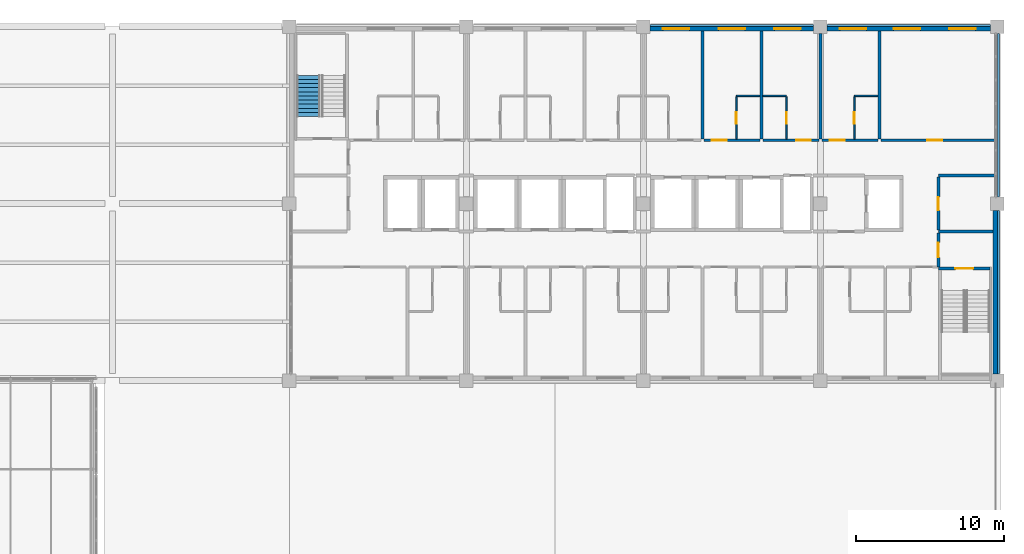
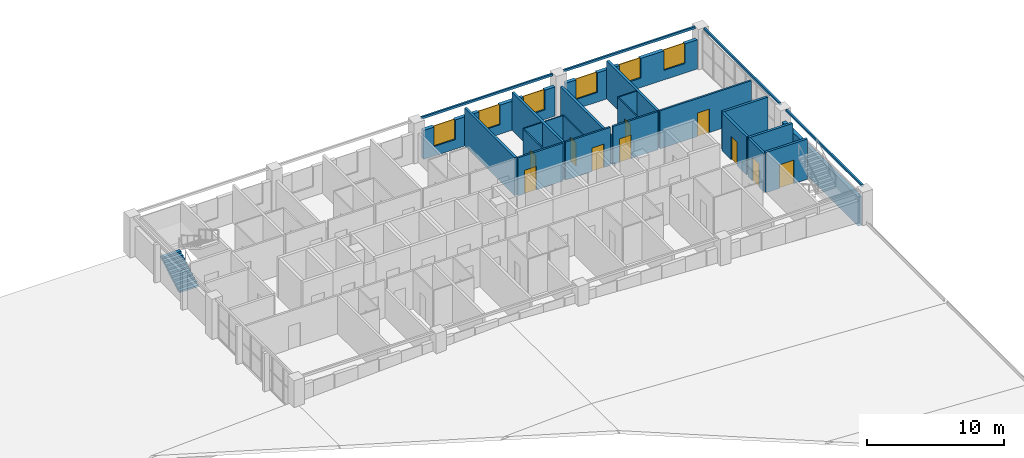
# One storey, part 91 of 94: 26 walls, 10 doors, 6 windows, 1 stair flight, 16 openings, 1 element without a shape of its own.
"""IFC4 building model written with IfcOpenShell, lengths in metres."""

from ifc_helpers import new_model, si_unit, direction, frame, frame_2d, origin, place, context, subcontext, project, spatial, polyline, rectangle, outline, extrude, material, layer, layer_set, type_object, element, fill, aggregate, save


model = new_model("IFC4")

# Units and contexts
model_context = context("Model", 3, precision=1e-05, world=origin(), true_north=direction((0.0, 1.0)))
body_context = subcontext(model_context, "Body", "Model", "MODEL_VIEW")
ifc_project = project(units=[si_unit("LENGTHUNIT", "METRE"), si_unit("AREAUNIT", "SQUARE_METRE"), si_unit("VOLUMEUNIT", "CUBIC_METRE"), si_unit("PLANEANGLEUNIT", "RADIAN"), si_unit("MASSUNIT", "GRAM", prefix="KILO")], contexts=[model_context])

# Site, building, storey
site_placement = place(None, origin())
site = spatial("IfcSite", under=ifc_project, at=site_placement, CompositionType="ELEMENT")
building_placement = place(site_placement, origin())
building = spatial("IfcBuilding", under=site, at=building_placement, Name="Lilac Gate Convention Centre", CompositionType="ELEMENT")
storey_placement = place(building_placement, frame((0.0, 0.0, 21.0)))
storey = spatial("IfcBuildingStorey", under=building, at=storey_placement, Name="L04", CompositionType="ELEMENT", Elevation=21.0)

# Wall, opening, door
ifc_material_1 = material(Name="Concrete C60", Category="concrete")
ifc_layer_1 = layer(ifc_material_1, 0.199951171875)
ifc_layer_set_1 = layer_set([ifc_layer_1], Name="Concrete C60")
wall_type_1 = type_object("IfcWallType", Name="Core wall 200 C60", PredefinedType="SHEAR", material=ifc_layer_set_1)
wall_1_placement = place(storey_placement, frame((89.5, 229.60009765625, 0.0), z_axis=(0.0, 0.0, 1.0), x_axis=(-1.0, 0.0, 0.0)))
wall_1 = element("IfcWall", 1, at=wall_1_placement, inside=storey, type_object=wall_type_1, Name="CRW2 core wall TS-E L04 1", PredefinedType="SHEAR", context=body_context, shape_type="SweptSolid", body=[
    extrude(rectangle(XDim=3.5, YDim=0.199951171875, at=frame_2d((1.75, 0.0))), origin(), (0.0, 0.0, 1.0), 3.60009765625),
])
opening_1_placement = place(wall_1_placement, frame((1.14990234375, 0.0, 0.0)))
opening_1 = element("IfcOpeningElement", 2, at=opening_1_placement, cuts=wall_1, Name="Opening T04-056", PredefinedType="OPENING", context=body_context, shape_type="SweptSolid", body=[
    extrude(rectangle(XDim=1.199951171875, YDim=2.10009765625, at=frame_2d((0.60009765625, 1.050048828125))), frame((0.0, 0.10986328125, 0.0), z_axis=(0.0, -1.0, 0.0), x_axis=(1.0, 0.0, 0.0)), (0.0, 0.0, 1.0), 0.219970703125),
])
ifc_material_2 = material(Name="Steel Q235B", Category="steel")
door_type_1 = type_object("IfcDoorType", Name="Stair door 1200", OperationType="SINGLE_SWING_LEFT", PredefinedType="DOOR", material=ifc_material_2)
door_1_placement = place(opening_1_placement, origin())
door_1 = element("IfcDoor", 3, at=door_1_placement, inside=storey, type_object=door_type_1, Name="Stair door SE L04", OperationType="SINGLE_SWING_RIGHT", OverallHeight=2.10009765625, OverallWidth=1.199951171875, PredefinedType="DOOR", context=body_context, shape_type="SweptSolid", body=[
    extrude(rectangle(XDim=1.199951171875, YDim=2.10009765625, at=frame_2d((0.60009765625, 1.050048828125))), frame((0.0, 0.02490234375, 0.0), z_axis=(0.0, -1.0, 0.0), x_axis=(1.0, 0.0, 0.0)), (0.0, 0.0, 1.0), 0.050048828125),
])
fill(opening_1, door_1)

ifc_material_3 = material(Name="Gypsum board on steel stud", Category="steel")
ifc_layer_2 = layer(ifc_material_3, 0.14990234375)
ifc_layer_set_2 = layer_set([ifc_layer_2], Name="Gypsum board on steel stud")
wall_type_2 = type_object("IfcWallType", Name="Corridor wall 150", PredefinedType="PARTITIONING", material=ifc_layer_set_2)
wall_2_placement = place(storey_placement, frame((70.10009765625, 238.300048828125, 0.0), z_axis=(0.0, 0.0, 1.0), x_axis=(1.0, 0.0, 0.0)))
wall_2 = element("IfcWall", 4, at=wall_2_placement, inside=storey, type_object=wall_type_2, Name="Corridor wall 150 front 0417", PredefinedType="PARTITIONING", context=body_context, shape_type="SweptSolid", body=[
    extrude(rectangle(XDim=3.7998046875, YDim=0.14990234375, at=frame_2d((1.89990234375, 0.0))), origin(), (0.0, 0.0, 1.0), 3.39990234375),
])
opening_2_placement = place(wall_2_placement, frame((0.550048828125, 0.0, 0.0)))
opening_2 = element("IfcOpeningElement", 5, at=opening_2_placement, cuts=wall_2, Name="Opening T04-039", PredefinedType="OPENING", context=body_context, shape_type="SweptSolid", body=[
    extrude(rectangle(XDim=1.0, YDim=2.10009765625, at=frame_2d((0.5, 1.050048828125))), frame((0.0, 0.0849609375, 0.0), z_axis=(0.0, -1.0, 0.0), x_axis=(1.0, 0.0, 0.0)), (0.0, 0.0, 1.0), 0.169921875),
])
ifc_material_4 = material(Name="Timber", Category="wood")
door_type_2 = type_object("IfcDoorType", Name="Guest room entrance door 1000", OperationType="SINGLE_SWING_LEFT", PredefinedType="DOOR", material=ifc_material_4)
door_2_placement = place(opening_2_placement, origin())
door_2 = element("IfcDoor", 6, at=door_2_placement, inside=storey, type_object=door_type_2, Name="Guest room door 0417", OperationType="SINGLE_SWING_LEFT", OverallHeight=2.10009765625, OverallWidth=1.0, PredefinedType="DOOR", context=body_context, shape_type="SweptSolid", body=[
    extrude(rectangle(XDim=1.0, YDim=2.10009765625, at=frame_2d((0.5, 1.050048828125))), frame((0.0, 0.02490234375, 0.0), z_axis=(0.0, -1.0, 0.0), x_axis=(1.0, 0.0, 0.0)), (0.0, 0.0, 1.0), 0.050048828125),
])
fill(opening_2, door_2)

wall_3_placement = place(storey_placement, frame((74.10009765625, 238.300048828125, 0.0), z_axis=(0.0, 0.0, 1.0), x_axis=(1.0, 0.0, 0.0)))
wall_3 = element("IfcWall", 7, at=wall_3_placement, inside=storey, type_object=wall_type_2, Name="Corridor wall 150 front 0418", PredefinedType="PARTITIONING", context=body_context, shape_type="SweptSolid", body=[
    extrude(rectangle(XDim=3.7998046875, YDim=0.14990234375, at=frame_2d((1.89990234375, 0.0))), origin(), (0.0, 0.0, 1.0), 3.39990234375),
])
opening_3_placement = place(wall_3_placement, frame((2.25, 0.0, 0.0)))
opening_3 = element("IfcOpeningElement", 8, at=opening_3_placement, cuts=wall_3, Name="Opening T04-041", PredefinedType="OPENING", context=body_context, shape_type="SweptSolid", body=[
    extrude(rectangle(XDim=1.0, YDim=2.10009765625, at=frame_2d((0.5, 1.050048828125))), frame((0.0, 0.0849609375, 0.0), z_axis=(0.0, -1.0, 0.0), x_axis=(1.0, 0.0, 0.0)), (0.0, 0.0, 1.0), 0.169921875),
])
door_3_placement = place(opening_3_placement, origin())
door_3 = element("IfcDoor", 9, at=door_3_placement, inside=storey, type_object=door_type_2, Name="Guest room door 0418", OperationType="SINGLE_SWING_LEFT", OverallHeight=2.10009765625, OverallWidth=1.0, PredefinedType="DOOR", context=body_context, shape_type="SweptSolid", body=[
    extrude(rectangle(XDim=1.0, YDim=2.10009765625, at=frame_2d((0.5, 1.050048828125))), frame((0.0, 0.02490234375, 0.0), z_axis=(0.0, -1.0, 0.0), x_axis=(1.0, 0.0, 0.0)), (0.0, 0.0, 1.0), 0.050048828125),
])
fill(opening_3, door_3)

wall_4_placement = place(storey_placement, frame((78.10009765625, 238.300048828125, 0.0), z_axis=(0.0, 0.0, 1.0), x_axis=(1.0, 0.0, 0.0)))
wall_4 = element("IfcWall", 10, at=wall_4_placement, inside=storey, type_object=wall_type_2, Name="Corridor wall 150 front 0419", PredefinedType="PARTITIONING", context=body_context, shape_type="SweptSolid", body=[
    extrude(rectangle(XDim=3.7998046875, YDim=0.14990234375, at=frame_2d((1.89990234375, 0.0))), origin(), (0.0, 0.0, 1.0), 3.39990234375),
])
opening_4_placement = place(wall_4_placement, frame((0.550048828125, 0.0, 0.0)))
opening_4 = element("IfcOpeningElement", 11, at=opening_4_placement, cuts=wall_4, Name="Opening T04-043", PredefinedType="OPENING", context=body_context, shape_type="SweptSolid", body=[
    extrude(rectangle(XDim=1.0, YDim=2.10009765625, at=frame_2d((0.5, 1.050048828125))), frame((0.0, 0.0849609375, 0.0), z_axis=(0.0, -1.0, 0.0), x_axis=(1.0, 0.0, 0.0)), (0.0, 0.0, 1.0), 0.169921875),
])
door_4_placement = place(opening_4_placement, origin())
door_4 = element("IfcDoor", 12, at=door_4_placement, inside=storey, type_object=door_type_2, Name="Guest room door 0419", OperationType="SINGLE_SWING_LEFT", OverallHeight=2.10009765625, OverallWidth=1.0, PredefinedType="DOOR", context=body_context, shape_type="SweptSolid", body=[
    extrude(rectangle(XDim=1.0, YDim=2.10009765625, at=frame_2d((0.5, 1.050048828125))), frame((0.0, 0.02490234375, 0.0), z_axis=(0.0, -1.0, 0.0), x_axis=(1.0, 0.0, 0.0)), (0.0, 0.0, 1.0), 0.050048828125),
])
fill(opening_4, door_4)

wall_5_placement = place(storey_placement, frame((82.10009765625, 238.300048828125, 0.0), z_axis=(0.0, 0.0, 1.0), x_axis=(1.0, 0.0, 0.0)))
wall_5 = element("IfcWall", 13, at=wall_5_placement, inside=storey, type_object=wall_type_2, Name="Corridor wall 150 front 0420", PredefinedType="PARTITIONING", context=body_context, shape_type="SweptSolid", body=[
    extrude(rectangle(XDim=7.69970703125, YDim=0.14990234375, at=frame_2d((3.849853515625, 0.0))), origin(), (0.0, 0.0, 1.0), 3.39990234375),
])
opening_5_placement = place(wall_5_placement, frame((3.14990234375, 0.0, 0.0)))
opening_5 = element("IfcOpeningElement", 14, at=opening_5_placement, cuts=wall_5, Name="Opening T04-045", PredefinedType="OPENING", context=body_context, shape_type="SweptSolid", body=[
    extrude(rectangle(XDim=1.0, YDim=2.10009765625, at=frame_2d((0.5, 1.050048828125))), frame((0.0, 0.0849609375, 0.0), z_axis=(0.0, -1.0, 0.0), x_axis=(1.0, 0.0, 0.0)), (0.0, 0.0, 1.0), 0.169921875),
])
door_type_3 = type_object("IfcDoorType", Name="Room door 1000", OperationType="SINGLE_SWING_LEFT", PredefinedType="DOOR", material=ifc_material_4)
door_5_placement = place(opening_5_placement, origin())
door_5 = element("IfcDoor", 15, at=door_5_placement, inside=storey, type_object=door_type_3, Name="Business Centre door", OperationType="SINGLE_SWING_LEFT", OverallHeight=2.10009765625, OverallWidth=1.0, PredefinedType="DOOR", context=body_context, shape_type="SweptSolid", body=[
    extrude(rectangle(XDim=1.0, YDim=2.10009765625, at=frame_2d((0.5, 1.050048828125))), frame((0.0, 0.02490234375, 0.0), z_axis=(0.0, -1.0, 0.0), x_axis=(1.0, 0.0, 0.0)), (0.0, 0.0, 1.0), 0.050048828125),
])
fill(opening_5, door_5)

# Wall
ifc_layer_3 = layer(ifc_material_3, 0.10009765625)
ifc_layer_set_3 = layer_set([ifc_layer_3], Name="Gypsum board on steel stud")
wall_type_3 = type_object("IfcWallType", Name="En-suite wall 100", PredefinedType="PARTITIONING", material=ifc_layer_set_3)
wall_6_placement = place(storey_placement, frame((72.300048828125, 241.300048828125, 0.0), z_axis=(0.0, 0.0, 1.0), x_axis=(1.0, 0.0, 0.0)))
element("IfcWall", 16, at=wall_6_placement, inside=storey, type_object=wall_type_3, Name="En-suite wall 100 bath 0417", PredefinedType="PARTITIONING", context=body_context, shape_type="SweptSolid", body=[
    extrude(rectangle(XDim=1.599853515625, YDim=0.10009765625, at=frame_2d((0.7998046875, 0.0))), origin(), (0.0, 0.0, 1.0), 3.39990234375),
])

# Wall, opening, door
wall_7_placement = place(storey_placement, frame((72.300048828125, 238.375, 0.0), z_axis=(0.0, 0.0, 1.0), x_axis=(0.0, 1.0, 0.0)))
wall_7 = element("IfcWall", 17, at=wall_7_placement, inside=storey, type_object=wall_type_3, Name="En-suite wall 100 bath side 0417", PredefinedType="PARTITIONING", context=body_context, shape_type="SweptSolid", body=[
    extrude(rectangle(XDim=2.875, YDim=0.10009765625, at=frame_2d((1.4375, 0.0))), origin(), (0.0, 0.0, 1.0), 3.39990234375),
])
opening_6_placement = place(wall_7_placement, frame((1.03759765625, 0.0, 0.0)))
opening_6 = element("IfcOpeningElement", 18, at=opening_6_placement, cuts=wall_7, Name="Opening T04-040", PredefinedType="OPENING", context=body_context, shape_type="SweptSolid", body=[
    extrude(rectangle(XDim=0.800048828125, YDim=2.10009765625, at=frame_2d((0.39990234375, 1.050048828125))), frame((0.0, 0.06005859375, 0.0), z_axis=(0.0, -1.0, 0.0), x_axis=(1.0, 0.0, 0.0)), (0.0, 0.0, 1.0), 0.1201171875),
])
door_type_4 = type_object("IfcDoorType", Name="En-suite door 800", OperationType="SINGLE_SWING_LEFT", PredefinedType="DOOR", material=ifc_material_4)
door_6_placement = place(opening_6_placement, origin())
door_6 = element("IfcDoor", 19, at=door_6_placement, inside=storey, type_object=door_type_4, Name="En-suite door 0417", OperationType="SINGLE_SWING_LEFT", OverallHeight=2.10009765625, OverallWidth=0.800048828125, PredefinedType="DOOR", context=body_context, shape_type="SweptSolid", body=[
    extrude(rectangle(XDim=0.800048828125, YDim=2.10009765625, at=frame_2d((0.39990234375, 1.050048828125))), frame((0.0, 0.02490234375, 0.0), z_axis=(0.0, -1.0, 0.0), x_axis=(1.0, 0.0, 0.0)), (0.0, 0.0, 1.0), 0.050048828125),
])
fill(opening_6, door_6)

# Wall
wall_8_placement = place(storey_placement, frame((74.10009765625, 241.300048828125, 0.0), z_axis=(0.0, 0.0, 1.0), x_axis=(1.0, 0.0, 0.0)))
element("IfcWall", 20, at=wall_8_placement, inside=storey, type_object=wall_type_3, Name="En-suite wall 100 bath 0418", PredefinedType="PARTITIONING", context=body_context, shape_type="SweptSolid", body=[
    extrude(rectangle(XDim=1.599853515625, YDim=0.10009765625, at=frame_2d((0.7998046875, 0.0))), origin(), (0.0, 0.0, 1.0), 3.39990234375),
])

# Wall, opening, door
wall_9_placement = place(storey_placement, frame((75.699951171875, 241.25, 0.0), z_axis=(0.0, 0.0, 1.0), x_axis=(0.0, -1.0, 0.0)))
wall_9 = element("IfcWall", 21, at=wall_9_placement, inside=storey, type_object=wall_type_3, Name="En-suite wall 100 bath side 0418", PredefinedType="PARTITIONING", context=body_context, shape_type="SweptSolid", body=[
    extrude(rectangle(XDim=2.875, YDim=0.10009765625, at=frame_2d((1.4375, 0.0))), origin(), (0.0, 0.0, 1.0), 3.39990234375),
])
opening_7_placement = place(wall_9_placement, frame((1.03759765625, 0.0, 0.0)))
opening_7 = element("IfcOpeningElement", 22, at=opening_7_placement, cuts=wall_9, Name="Opening T04-042", PredefinedType="OPENING", context=body_context, shape_type="SweptSolid", body=[
    extrude(rectangle(XDim=0.800048828125, YDim=2.10009765625, at=frame_2d((0.39990234375, 1.050048828125))), frame((0.0, 0.06005859375, 0.0), z_axis=(0.0, -1.0, 0.0), x_axis=(1.0, 0.0, 0.0)), (0.0, 0.0, 1.0), 0.1201171875),
])
door_7_placement = place(opening_7_placement, origin())
door_7 = element("IfcDoor", 23, at=door_7_placement, inside=storey, type_object=door_type_4, Name="En-suite door 0418", OperationType="SINGLE_SWING_RIGHT", OverallHeight=2.10009765625, OverallWidth=0.800048828125, PredefinedType="DOOR", context=body_context, shape_type="SweptSolid", body=[
    extrude(rectangle(XDim=0.800048828125, YDim=2.10009765625, at=frame_2d((0.39990234375, 1.050048828125))), frame((0.0, 0.02490234375, 0.0), z_axis=(0.0, -1.0, 0.0), x_axis=(1.0, 0.0, 0.0)), (0.0, 0.0, 1.0), 0.050048828125),
])
fill(opening_7, door_7)

# Wall
wall_10_placement = place(storey_placement, frame((80.300048828125, 241.300048828125, 0.0), z_axis=(0.0, 0.0, 1.0), x_axis=(1.0, 0.0, 0.0)))
element("IfcWall", 24, at=wall_10_placement, inside=storey, type_object=wall_type_3, Name="En-suite wall 100 bath 0419", PredefinedType="PARTITIONING", context=body_context, shape_type="SweptSolid", body=[
    extrude(rectangle(XDim=1.599853515625, YDim=0.10009765625, at=frame_2d((0.7998046875, 0.0))), origin(), (0.0, 0.0, 1.0), 3.39990234375),
])

# Wall, opening, door
wall_11_placement = place(storey_placement, frame((80.300048828125, 238.375, 0.0), z_axis=(0.0, 0.0, 1.0), x_axis=(0.0, 1.0, 0.0)))
wall_11 = element("IfcWall", 25, at=wall_11_placement, inside=storey, type_object=wall_type_3, Name="En-suite wall 100 bath side 0419", PredefinedType="PARTITIONING", context=body_context, shape_type="SweptSolid", body=[
    extrude(rectangle(XDim=2.875, YDim=0.10009765625, at=frame_2d((1.4375, 0.0))), origin(), (0.0, 0.0, 1.0), 3.39990234375),
])
opening_8_placement = place(wall_11_placement, frame((1.03759765625, 0.0, 0.0)))
opening_8 = element("IfcOpeningElement", 26, at=opening_8_placement, cuts=wall_11, Name="Opening T04-044", PredefinedType="OPENING", context=body_context, shape_type="SweptSolid", body=[
    extrude(rectangle(XDim=0.800048828125, YDim=2.10009765625, at=frame_2d((0.39990234375, 1.050048828125))), frame((0.0, 0.06005859375, 0.0), z_axis=(0.0, -1.0, 0.0), x_axis=(1.0, 0.0, 0.0)), (0.0, 0.0, 1.0), 0.1201171875),
])
door_8_placement = place(opening_8_placement, origin())
door_8 = element("IfcDoor", 27, at=door_8_placement, inside=storey, type_object=door_type_4, Name="En-suite door 0419", OperationType="SINGLE_SWING_LEFT", OverallHeight=2.10009765625, OverallWidth=0.800048828125, PredefinedType="DOOR", context=body_context, shape_type="SweptSolid", body=[
    extrude(rectangle(XDim=0.800048828125, YDim=2.10009765625, at=frame_2d((0.39990234375, 1.050048828125))), frame((0.0, 0.02490234375, 0.0), z_axis=(0.0, -1.0, 0.0), x_axis=(1.0, 0.0, 0.0)), (0.0, 0.0, 1.0), 0.050048828125),
])
fill(opening_8, door_8)

# Walls
ifc_layer_4 = layer(ifc_material_3, 0.199951171875)
ifc_layer_set_4 = layer_set([ifc_layer_4], Name="Gypsum board on steel stud")
wall_type_4 = type_object("IfcWallType", Name="Guest room party wall 200", PredefinedType="PARTITIONING", material=ifc_layer_set_4)
for number, where, z_axis, x_axis, name in (
    (28, (70.0, 245.7001953125, 0.0), (0.0, 0.0, 1.0), (0.0, -1.0, 0.0), "Guest room party wall 200 party 70.0"),
    (29, (74.0, 245.7001953125, 0.0), (0.0, 0.0, 1.0), (0.0, -1.0, 0.0), "Guest room party wall 200 party 74.0"),
):
    element("IfcWall", number, at=place(storey_placement, frame(where, z_axis=z_axis, x_axis=x_axis)), inside=storey, type_object=wall_type_4, Name=name, PredefinedType="PARTITIONING", context=body_context, shape_type="SweptSolid", body=[
        extrude(rectangle(XDim=7.3251953125, YDim=0.199951171875, at=frame_2d((3.66259765625, 0.0))), origin(), (0.0, 0.0, 1.0), 3.39990234375),
    ])
wall_12_placement = place(storey_placement, frame((78.0, 245.550048828125, 0.0), z_axis=(0.0, 0.0, 1.0), x_axis=(0.0, -1.0, 0.0)))
element("IfcWall", 30, at=wall_12_placement, inside=storey, type_object=wall_type_4, Name="Guest room party wall 200 party 78.0", PredefinedType="PARTITIONING", context=body_context, shape_type="SweptSolid", body=[
    extrude(rectangle(XDim=7.175048828125, YDim=0.199951171875, at=frame_2d((3.58740234375, 0.0))), origin(), (0.0, 0.0, 1.0), 2.60009765625),
])
wall_13_placement = place(storey_placement, frame((82.0, 245.7001953125, 0.0), z_axis=(0.0, 0.0, 1.0), x_axis=(0.0, -1.0, 0.0)))
element("IfcWall", 31, at=wall_13_placement, inside=storey, type_object=wall_type_4, Name="Guest room party wall 200 party 82.0", PredefinedType="PARTITIONING", context=body_context, shape_type="SweptSolid", body=[
    extrude(rectangle(XDim=7.3251953125, YDim=0.199951171875, at=frame_2d((3.66259765625, 0.0))), origin(), (0.0, 0.0, 1.0), 3.39990234375),
])
ifc_layer_5 = layer(ifc_material_3, 0.199951171875)
ifc_layer_set_5 = layer_set([ifc_layer_5], Name="Gypsum board on steel stud")
wall_type_5 = type_object("IfcWallType", Name="Lobby wall 200", PredefinedType="PARTITIONING", material=ifc_layer_set_5)
wall_14_placement = place(storey_placement, frame((86.0, 232.10009765625, 0.0), z_axis=(0.0, 0.0, 1.0), x_axis=(1.0, 0.0, 0.0)))
element("IfcWall", 32, at=wall_14_placement, inside=storey, type_object=wall_type_5, Name="Lobby wall 200 STL-N", PredefinedType="PARTITIONING", context=body_context, shape_type="SweptSolid", body=[
    extrude(rectangle(XDim=3.7001953125, YDim=0.199951171875, at=frame_2d((1.85009765625, 0.0))), origin(), (0.0, 0.0, 1.0), 3.39990234375),
])

# Wall, opening, door
wall_15_placement = place(storey_placement, frame((86.0, 232.0, 0.0), z_axis=(0.0, 0.0, 1.0), x_axis=(0.0, -1.0, 0.0)))
wall_15 = element("IfcWall", 33, at=wall_15_placement, inside=storey, type_object=wall_type_5, Name="Lobby wall 200 STL-SE-W", PredefinedType="PARTITIONING", context=body_context, shape_type="SweptSolid", body=[
    extrude(rectangle(XDim=2.300048828125, YDim=0.199951171875, at=frame_2d((1.14990234375, 0.0))), origin(), (0.0, 0.0, 1.0), 3.39990234375),
])
opening_9_placement = place(wall_15_placement, frame((0.64990234375, 0.0, 0.0)))
opening_9 = element("IfcOpeningElement", 34, at=opening_9_placement, cuts=wall_15, Name="Opening T04-007", PredefinedType="OPENING", context=body_context, shape_type="SweptSolid", body=[
    extrude(rectangle(XDim=1.0, YDim=2.10009765625, at=frame_2d((0.5, 1.050048828125))), frame((0.0, 0.10986328125, 0.0), z_axis=(0.0, -1.0, 0.0), x_axis=(1.0, 0.0, 0.0)), (0.0, 0.0, 1.0), 0.219970703125),
])
door_type_5 = type_object("IfcDoorType", Name="Lobby door 1000", OperationType="SINGLE_SWING_LEFT", PredefinedType="DOOR", material=ifc_material_2)
door_9_placement = place(opening_9_placement, origin())
door_9 = element("IfcDoor", 35, at=door_9_placement, inside=storey, type_object=door_type_5, Name="Stair lobby door SE", OperationType="SINGLE_SWING_LEFT", OverallHeight=2.10009765625, OverallWidth=1.0, PredefinedType="DOOR", context=body_context, shape_type="SweptSolid", body=[
    extrude(rectangle(XDim=1.0, YDim=2.10009765625, at=frame_2d((0.5, 1.050048828125))), frame((0.0, 0.02490234375, 0.0), z_axis=(0.0, -1.0, 0.0), x_axis=(1.0, 0.0, 0.0)), (0.0, 0.0, 1.0), 0.050048828125),
])
fill(opening_9, door_9)

# Walls
ifc_material_5 = material(Name="Concrete C40 precast", Category="concrete")
ifc_layer_6 = layer(ifc_material_5, 0.1298828125)
ifc_material_6 = material(Name="Ochre mineral render")
ifc_layer_7 = layer(ifc_material_6, 0.02001953125)
ifc_layer_set_6 = layer_set([ifc_layer_6, ifc_layer_7], Name="Concrete C40 precast, Ochre mineral render")
wall_type_6 = type_object("IfcWallType", Name="Precast band ochre 150", PredefinedType="STANDARD", material=ifc_layer_set_6)
for number, where, z_axis, x_axis, name in (
    (36, (90.074951171875, 222.449951171875, 3.39990234375), (0.0, 0.0, 1.0), (0.0, 1.0, 0.0), "Precast band E L04 1"),
    (37, (90.074951171875, 234.449951171875, 3.39990234375), (0.0, 0.0, 1.0), (0.0, 1.0, 0.0), "Precast band E L04 2"),
    (38, (89.550048828125, 246.074951171875, 3.39990234375), (0.0, 0.0, 1.0), (-1.0, 0.0, 0.0), "Precast band N L04 1"),
    (39, (77.550048828125, 246.074951171875, 3.39990234375), (0.0, 0.0, 1.0), (-1.0, 0.0, 0.0), "Precast band N L04 2"),
):
    element("IfcWall", number, at=place(storey_placement, frame(where, z_axis=z_axis, x_axis=x_axis)), inside=storey, type_object=wall_type_6, Name=name, PredefinedType="STANDARD", context=body_context, shape_type="SweptSolid", body=[
        extrude(rectangle(XDim=11.10009765625, YDim=0.14990234375, at=frame_2d((5.550048828125, 0.0))), origin(), (0.0, 0.0, 1.0), 0.2001953125),
    ])
ifc_layer_8 = layer(ifc_material_6, 0.02001953125)
ifc_layer_9 = layer(ifc_material_5, 0.06005859375)
ifc_material_7 = material(Name="Ventilated air cavity")
ifc_layer_10 = layer(ifc_material_7, 0.030029296875)
ifc_material_8 = material(Name="Mineral wool insulation")
ifc_layer_11 = layer(ifc_material_8, 0.1201171875)
ifc_material_9 = material(Name="Steel stud Q345 and gypsum lining", Category="steel")
ifc_layer_12 = layer(ifc_material_9, 0.070068359375)
ifc_layer_set_7 = layer_set([ifc_layer_8, ifc_layer_9, ifc_layer_10, ifc_layer_11, ifc_layer_12], Name="Ochre mineral render, Concrete C40 precast, Ventilated air cavity, Mineral wool insulation, Steel stud Q345 and gypsum lining")
wall_type_7 = type_object("IfcWallType", Name="Precast panel wall ochre 300", PredefinedType="STANDARD", material=ifc_layer_set_7)
wall_16_placement = place(storey_placement, frame((89.85009765625, 222.449951171875, 0.0), z_axis=(0.0, 0.0, 1.0), x_axis=(0.0, 1.0, 0.0)))
element("IfcWall", 40, at=wall_16_placement, inside=storey, type_object=wall_type_7, Name="External wall E L04 1", PredefinedType="STANDARD", context=body_context, shape_type="SweptSolid", body=[
    extrude(rectangle(XDim=11.10009765625, YDim=0.300048828125, at=frame_2d((5.550048828125, 0.0))), origin(), (0.0, 0.0, 1.0), 2.60009765625),
])

# Wall, openings, windows
wall_17_placement = place(storey_placement, frame((89.550048828125, 245.85009765625, 0.0), z_axis=(0.0, 0.0, 1.0), x_axis=(-1.0, 0.0, 0.0)))
wall_17 = element("IfcWall", 41, at=wall_17_placement, inside=storey, type_object=wall_type_7, Name="External wall N L04 1", PredefinedType="STANDARD", context=body_context, shape_type="SweptSolid", body=[
    extrude(rectangle(XDim=11.10009765625, YDim=0.300048828125, at=frame_2d((5.550048828125, 0.0))), origin(), (0.0, 0.0, 1.0), 2.60009765625),
])
opening_10_placement = place(wall_17_placement, frame((8.425048828125, 0.0, 0.85009765625)))
opening_10 = element("IfcOpeningElement", 42, at=opening_10_placement, cuts=wall_17, Name="Opening W1", PredefinedType="OPENING", context=body_context, shape_type="SweptSolid", body=[
    extrude(rectangle(XDim=1.800048828125, YDim=1.75, at=frame_2d((0.89990234375, 0.875))), frame((0.0, 0.159912109375, 0.0), z_axis=(0.0, -1.0, 0.0), x_axis=(1.0, 0.0, 0.0)), (0.0, 0.0, 1.0), 0.320068359375),
])
opening_11_placement = place(wall_17_placement, frame((1.02490234375, 0.0, 0.85009765625)))
opening_11 = element("IfcOpeningElement", 43, at=opening_11_placement, cuts=wall_17, Name="Opening W1", PredefinedType="OPENING", context=body_context, shape_type="SweptSolid", body=[
    extrude(rectangle(XDim=1.800048828125, YDim=1.75, at=frame_2d((0.89990234375, 0.875))), frame((0.0, 0.159912109375, 0.0), z_axis=(0.0, -1.0, 0.0), x_axis=(1.0, 0.0, 0.0)), (0.0, 0.0, 1.0), 0.320068359375),
])
opening_12_placement = place(wall_17_placement, frame((4.77490234375, 0.0, 0.85009765625)))
opening_12 = element("IfcOpeningElement", 44, at=opening_12_placement, cuts=wall_17, Name="Opening W1", PredefinedType="OPENING", context=body_context, shape_type="SweptSolid", body=[
    extrude(rectangle(XDim=1.800048828125, YDim=1.75, at=frame_2d((0.89990234375, 0.875))), frame((0.0, 0.159912109375, 0.0), z_axis=(0.0, -1.0, 0.0), x_axis=(1.0, 0.0, 0.0)), (0.0, 0.0, 1.0), 0.320068359375),
])
ifc_material_10 = material(Name="Aluminium framed double glazing", Category="aluminium")
window_type = type_object("IfcWindowType", Name="Guest room window 1800 x 1750", PartitioningType="DOUBLE_PANEL_VERTICAL", PredefinedType="WINDOW", material=ifc_material_10)
window_1_placement = place(opening_10_placement, origin())
window_1 = element("IfcWindow", 45, at=window_1_placement, inside=storey, type_object=window_type, Name="Window Guest N L04", OverallHeight=1.75, OverallWidth=1.800048828125, PartitioningType="SINGLE_PANEL", PredefinedType="WINDOW", context=body_context, shape_type="SweptSolid", body=[
    extrude(rectangle(XDim=1.800048828125, YDim=1.75, at=frame_2d((0.89990234375, 0.875))), frame((0.0, 0.030029296875, 0.0), z_axis=(0.0, -1.0, 0.0), x_axis=(1.0, 0.0, 0.0)), (0.0, 0.0, 1.0), 0.06005859375),
])
fill(opening_10, window_1)
window_2_placement = place(opening_11_placement, origin())
window_2 = element("IfcWindow", 46, at=window_2_placement, inside=storey, type_object=window_type, Name="Window Guest N L04", OverallHeight=1.75, OverallWidth=1.800048828125, PartitioningType="SINGLE_PANEL", PredefinedType="WINDOW", context=body_context, shape_type="SweptSolid", body=[
    extrude(rectangle(XDim=1.800048828125, YDim=1.75, at=frame_2d((0.89990234375, 0.875))), frame((0.0, 0.030029296875, 0.0), z_axis=(0.0, -1.0, 0.0), x_axis=(1.0, 0.0, 0.0)), (0.0, 0.0, 1.0), 0.06005859375),
])
fill(opening_11, window_2)
window_3_placement = place(opening_12_placement, origin())
window_3 = element("IfcWindow", 47, at=window_3_placement, inside=storey, type_object=window_type, Name="Window Guest N L04", OverallHeight=1.75, OverallWidth=1.800048828125, PartitioningType="SINGLE_PANEL", PredefinedType="WINDOW", context=body_context, shape_type="SweptSolid", body=[
    extrude(rectangle(XDim=1.800048828125, YDim=1.75, at=frame_2d((0.89990234375, 0.875))), frame((0.0, 0.030029296875, 0.0), z_axis=(0.0, -1.0, 0.0), x_axis=(1.0, 0.0, 0.0)), (0.0, 0.0, 1.0), 0.06005859375),
])
fill(opening_12, window_3)

wall_18_placement = place(storey_placement, frame((77.550048828125, 245.85009765625, 0.0), z_axis=(0.0, 0.0, 1.0), x_axis=(-1.0, 0.0, 0.0)))
wall_18 = element("IfcWall", 48, at=wall_18_placement, inside=storey, type_object=wall_type_7, Name="External wall N L04 2", PredefinedType="STANDARD", context=body_context, shape_type="SweptSolid", body=[
    extrude(rectangle(XDim=11.10009765625, YDim=0.300048828125, at=frame_2d((5.550048828125, 0.0))), origin(), (0.0, 0.0, 1.0), 2.60009765625),
])
opening_13_placement = place(wall_18_placement, frame((8.425048828125, 0.0, 0.85009765625)))
opening_13 = element("IfcOpeningElement", 49, at=opening_13_placement, cuts=wall_18, Name="Opening W1", PredefinedType="OPENING", context=body_context, shape_type="SweptSolid", body=[
    extrude(rectangle(XDim=1.800048828125, YDim=1.75, at=frame_2d((0.89990234375, 0.875))), frame((0.0, 0.159912109375, 0.0), z_axis=(0.0, -1.0, 0.0), x_axis=(1.0, 0.0, 0.0)), (0.0, 0.0, 1.0), 0.320068359375),
])
opening_14_placement = place(wall_18_placement, frame((4.64990234375, 0.0, 0.85009765625)))
opening_14 = element("IfcOpeningElement", 50, at=opening_14_placement, cuts=wall_18, Name="Opening W1", PredefinedType="OPENING", context=body_context, shape_type="SweptSolid", body=[
    extrude(rectangle(XDim=1.800048828125, YDim=1.75, at=frame_2d((0.89990234375, 0.875))), frame((0.0, 0.159912109375, 0.0), z_axis=(0.0, -1.0, 0.0), x_axis=(1.0, 0.0, 0.0)), (0.0, 0.0, 1.0), 0.320068359375),
])
opening_15_placement = place(wall_18_placement, frame((0.875, 0.0, 0.85009765625)))
opening_15 = element("IfcOpeningElement", 51, at=opening_15_placement, cuts=wall_18, Name="Opening W1", PredefinedType="OPENING", context=body_context, shape_type="SweptSolid", body=[
    extrude(rectangle(XDim=1.800048828125, YDim=1.75, at=frame_2d((0.89990234375, 0.875))), frame((0.0, 0.159912109375, 0.0), z_axis=(0.0, -1.0, 0.0), x_axis=(1.0, 0.0, 0.0)), (0.0, 0.0, 1.0), 0.320068359375),
])
window_4_placement = place(opening_13_placement, origin())
window_4 = element("IfcWindow", 52, at=window_4_placement, inside=storey, type_object=window_type, Name="Window Guest N L04", OverallHeight=1.75, OverallWidth=1.800048828125, PartitioningType="SINGLE_PANEL", PredefinedType="WINDOW", context=body_context, shape_type="SweptSolid", body=[
    extrude(rectangle(XDim=1.800048828125, YDim=1.75, at=frame_2d((0.89990234375, 0.875))), frame((0.0, 0.030029296875, 0.0), z_axis=(0.0, -1.0, 0.0), x_axis=(1.0, 0.0, 0.0)), (0.0, 0.0, 1.0), 0.06005859375),
])
fill(opening_13, window_4)
window_5_placement = place(opening_14_placement, origin())
window_5 = element("IfcWindow", 53, at=window_5_placement, inside=storey, type_object=window_type, Name="Window Guest N L04", OverallHeight=1.75, OverallWidth=1.800048828125, PartitioningType="SINGLE_PANEL", PredefinedType="WINDOW", context=body_context, shape_type="SweptSolid", body=[
    extrude(rectangle(XDim=1.800048828125, YDim=1.75, at=frame_2d((0.89990234375, 0.875))), frame((0.0, 0.030029296875, 0.0), z_axis=(0.0, -1.0, 0.0), x_axis=(1.0, 0.0, 0.0)), (0.0, 0.0, 1.0), 0.06005859375),
])
fill(opening_14, window_5)
window_6_placement = place(opening_15_placement, origin())
window_6 = element("IfcWindow", 54, at=window_6_placement, inside=storey, type_object=window_type, Name="Window Guest N L04", OverallHeight=1.75, OverallWidth=1.800048828125, PartitioningType="SINGLE_PANEL", PredefinedType="WINDOW", context=body_context, shape_type="SweptSolid", body=[
    extrude(rectangle(XDim=1.800048828125, YDim=1.75, at=frame_2d((0.89990234375, 0.875))), frame((0.0, 0.030029296875, 0.0), z_axis=(0.0, -1.0, 0.0), x_axis=(1.0, 0.0, 0.0)), (0.0, 0.0, 1.0), 0.06005859375),
])
fill(opening_15, window_6)

# Wall
ifc_layer_13 = layer(ifc_material_3, 0.199951171875)
ifc_layer_set_8 = layer_set([ifc_layer_13], Name="Gypsum board on steel stud")
wall_type_8 = type_object("IfcWallType", Name="Riser and store wall 200", PredefinedType="PARTITIONING", material=ifc_layer_set_8)
wall_19_placement = place(storey_placement, frame((86.0, 235.89990234375, 0.0), z_axis=(0.0, 0.0, 1.0), x_axis=(1.0, 0.0, 0.0)))
element("IfcWall", 55, at=wall_19_placement, inside=storey, type_object=wall_type_8, Name="Riser and store wall 200 STE-N", PredefinedType="PARTITIONING", context=body_context, shape_type="SweptSolid", body=[
    extrude(rectangle(XDim=3.7998046875, YDim=0.199951171875, at=frame_2d((1.89990234375, 0.0))), origin(), (0.0, 0.0, 1.0), 3.39990234375),
])

# Wall, opening, door
wall_20_placement = place(storey_placement, frame((86.0, 235.800048828125, 0.0), z_axis=(0.0, 0.0, 1.0), x_axis=(0.0, -1.0, 0.0)))
wall_20 = element("IfcWall", 56, at=wall_20_placement, inside=storey, type_object=wall_type_8, Name="Riser and store wall 200 STE-W", PredefinedType="PARTITIONING", context=body_context, shape_type="SweptSolid", body=[
    extrude(rectangle(XDim=3.60009765625, YDim=0.199951171875, at=frame_2d((1.800048828125, 0.0))), origin(), (0.0, 0.0, 1.0), 3.39990234375),
])
opening_16_placement = place(wall_20_placement, frame((1.35009765625, 0.0, 0.0)))
opening_16 = element("IfcOpeningElement", 57, at=opening_16_placement, cuts=wall_20, Name="Opening T04-005", PredefinedType="OPENING", context=body_context, shape_type="SweptSolid", body=[
    extrude(rectangle(XDim=0.89990234375, YDim=2.10009765625, at=frame_2d((0.449951171875, 1.050048828125))), frame((0.0, 0.10986328125, 0.0), z_axis=(0.0, -1.0, 0.0), x_axis=(1.0, 0.0, 0.0)), (0.0, 0.0, 1.0), 0.219970703125),
])
door_type_6 = type_object("IfcDoorType", Name="Riser and store door 900", OperationType="SINGLE_SWING_LEFT", PredefinedType="DOOR", material=ifc_material_2)
door_10_placement = place(opening_16_placement, origin())
door_10 = element("IfcDoor", 58, at=door_10_placement, inside=storey, type_object=door_type_6, Name="Linen store door", OperationType="SINGLE_SWING_LEFT", OverallHeight=2.10009765625, OverallWidth=0.89990234375, PredefinedType="DOOR", context=body_context, shape_type="SweptSolid", body=[
    extrude(rectangle(XDim=0.89990234375, YDim=2.10009765625, at=frame_2d((0.449951171875, 1.050048828125))), frame((0.0, 0.02490234375, 0.0), z_axis=(0.0, -1.0, 0.0), x_axis=(1.0, 0.0, 0.0)), (0.0, 0.0, 1.0), 0.050048828125),
])
fill(opening_16, door_10)

# Stair, stair flight
ifc_material_11 = material(Name="Concrete C40", Category="concrete")
stair_type = type_object("IfcStairType", Name="Exit stair", PredefinedType="DOUBLE_RETURN_STAIR", material=ifc_material_11)
stair_placement = place(storey_placement, origin())
stair = element("IfcStair", 59, at=stair_placement, inside=storey, type_object=stair_type, Name="Exit stair NW L04", PredefinedType="DOUBLE_RETURN_STAIR")
stair_flight_type = type_object("IfcStairFlightType", Name="Exit stair flight", PredefinedType="STRAIGHT", material=ifc_material_11)
stair_flight_placement = place(storey_placement, frame((43.300048828125, 239.89990234375, 0.0), z_axis=(0.0, 0.0, 1.0), x_axis=(0.0, 1.0, 0.0)))
stair_flight = element("IfcStairFlight", 60, at=stair_flight_placement, type_object=stair_flight_type, Name="ST-NW flight 1", NumberOfRisers=11, NumberOfTreads=10, PredefinedType="STRAIGHT", RiserHeight=0.163636364, TreadLength=0.28, context=body_context, shape_type="SweptSolid", body=[
    extrude(outline(polyline([(0.0, 0.0), (0.0, 0.16357421875), (0.280029296875, 0.16357421875), (0.280029296875, 0.327392578125), (0.56005859375, 0.327392578125), (0.56005859375, 0.490966796875), (0.840087890625, 0.490966796875), (0.840087890625, 0.654541015625), (1.1201171875, 0.654541015625), (1.1201171875, 0.818115234375), (1.39990234375, 0.818115234375), (1.39990234375, 0.98193359375), (1.679931640625, 0.98193359375), (1.679931640625, 1.1455078125), (1.9599609375, 1.1455078125), (1.9599609375, 1.30908203125), (2.239990234375, 1.30908203125), (2.239990234375, 1.47265625), (2.52001953125, 1.47265625), (2.52001953125, 1.636474609375), (2.800048828125, 1.636474609375), (2.800048828125, 1.800048828125), (2.800048828125, 1.462646484375), (0.297119140625, 0.0), (0.0, 0.0)])), frame((0.0, 0.800048828125, 0.0), z_axis=(0.0, -1.0, 0.0), x_axis=(1.0, 0.0, 0.0)), (0.0, 0.0, 1.0), 1.60009765625),
])
aggregate(stair, [stair_flight])

save(model, "model.ifc")
